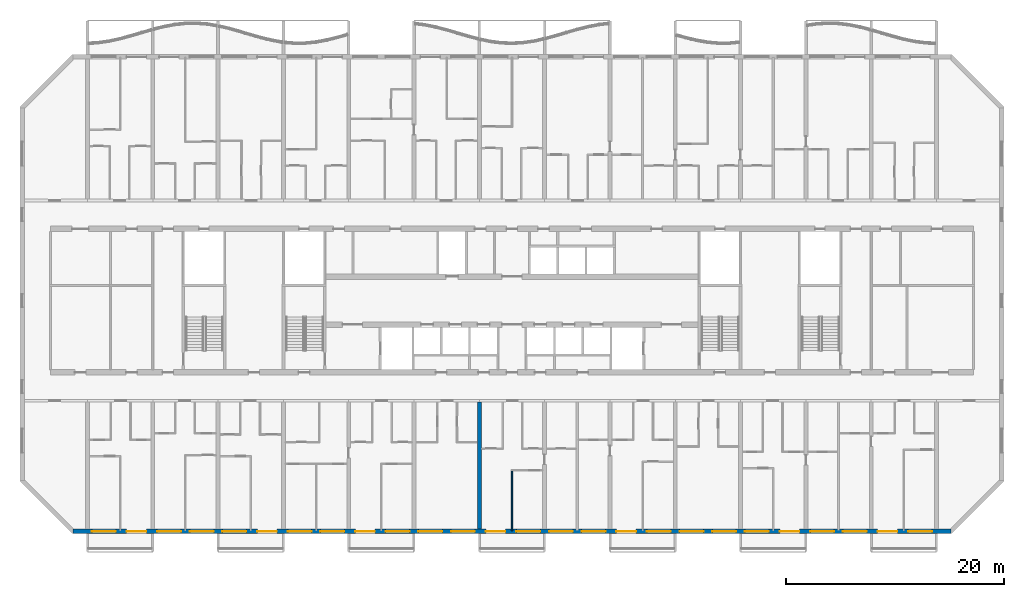
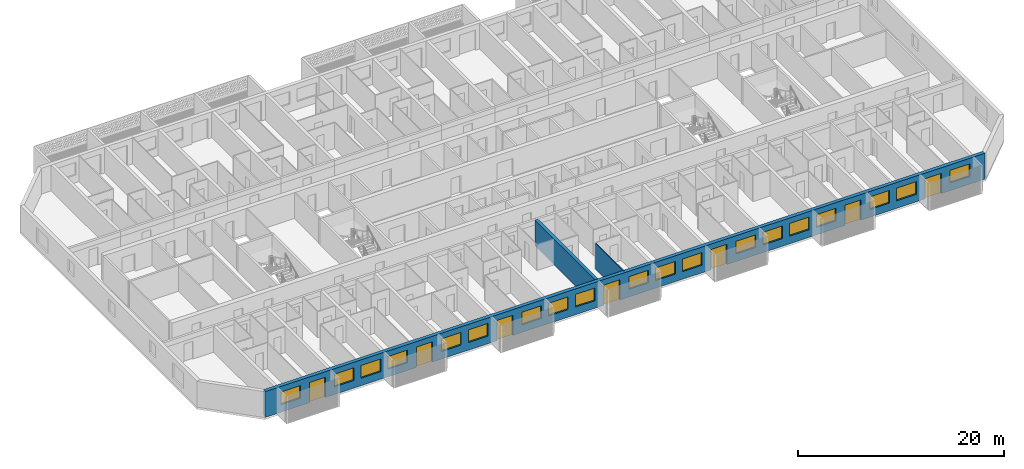
# One storey, part 4 of 27: 19 windows, 7 doors, 3 walls, 26 openings.
"""IFC4 building model written with IfcOpenShell, lengths in metres."""

from ifc_helpers import new_model, si_unit, direction, frame, frame_2d, origin, place, context, subcontext, project, spatial, rectangle, extrude, material, layer, layer_set, type_object, element, fill, save


model = new_model("IFC4")

# Units and contexts
model_context = context("Model", 3, precision=1e-05, world=origin(), true_north=direction((0.0, 1.0)))
body_context = subcontext(model_context, "Body", "Model", "MODEL_VIEW")
ifc_project = project(units=[si_unit("LENGTHUNIT", "METRE"), si_unit("AREAUNIT", "SQUARE_METRE"), si_unit("VOLUMEUNIT", "CUBIC_METRE"), si_unit("PLANEANGLEUNIT", "RADIAN"), si_unit("MASSUNIT", "GRAM", prefix="KILO")], contexts=[model_context])

# Site, building, storey
site_placement = place(None, origin())
site = spatial("IfcSite", under=ifc_project, at=site_placement, CompositionType="ELEMENT")
building_placement = place(site_placement, origin())
building = spatial("IfcBuilding", under=site, at=building_placement, Name="Poui Terraces", CompositionType="ELEMENT")
storey_placement = place(building_placement, frame((0.0, 0.0, 76.199951171875)))
storey = spatial("IfcBuildingStorey", under=building, at=storey_placement, Name="L20", CompositionType="ELEMENT", Elevation=76.199951171875)

# Wall
ifc_material_1 = material(Name="Concrete 65 MPa", Category="concrete")
ifc_layer_1 = layer(ifc_material_1, 0.35009765625)
ifc_layer_set_1 = layer_set([ifc_layer_1], Name="Concrete 65 MPa")
wall_type_1 = type_object("IfcWallType", Name="CROSS WALL 350 65MPa", PredefinedType="SHEAR", material=ifc_layer_set_1)
wall_1_placement = place(storey_placement, frame((48.0, 0.199951171875, 0.0), z_axis=(0.0, 0.0, 1.0), x_axis=(0.0, 1.0, 0.0)))
element("IfcWall", 1, at=wall_1_placement, inside=storey, type_object=wall_type_1, Name="CROSS WALL LINE 9 SOUTH", PredefinedType="SHEAR", context=body_context, shape_type="SweptSolid", body=[
    extrude(rectangle(XDim=11.675048828125, YDim=0.35009765625, at=frame_2d((5.83740234375, 0.0))), origin(), (0.0, 0.0, 1.0), 3.06005859375),
])

# Wall, openings, doors, windows
ifc_material_2 = material(Name="Precast concrete 40 MPa", Category="concrete")
ifc_layer_2 = layer(ifc_material_2, 0.39990234375)
ifc_layer_set_2 = layer_set([ifc_layer_2], Name="Precast concrete 40 MPa")
wall_type_2 = type_object("IfcWallType", Name="EXTERNAL WALL 400", PredefinedType="STANDARD", material=ifc_layer_set_2)
wall_2_placement = place(storey_placement, frame((10.682861328125, 0.0, 0.0), z_axis=(0.0, 0.0, 1.0), x_axis=(1.0, 0.0, 0.0)))
wall_2 = element("IfcWall", 2, at=wall_2_placement, inside=storey, type_object=wall_type_2, Name="EXTERNAL WALL S", PredefinedType="STANDARD", context=body_context, shape_type="SweptSolid", body=[
    extrude(rectangle(XDim=80.63427734375, YDim=0.39990234375, at=frame_2d((40.317138671875, 0.0))), origin(), (0.0, 0.0, 1.0), 3.06005859375),
])
opening_1_placement = place(wall_2_placement, frame((1.71728515625, 0.0, 0.89990234375)))
opening_1 = element("IfcOpeningElement", 3, at=opening_1_placement, cuts=wall_2, Name="Opening W1", PredefinedType="OPENING", context=body_context, shape_type="SweptSolid", body=[
    extrude(rectangle(XDim=2.199951171875, YDim=1.5, at=frame_2d((1.10009765625, 0.75))), frame((0.0, 0.2099609375, 0.0), z_axis=(0.0, -1.0, 0.0), x_axis=(1.0, 0.0, 0.0)), (0.0, 0.0, 1.0), 0.419921875),
])
opening_2_placement = place(wall_2_placement, frame((4.917236328125, 0.0, 0.0)))
opening_2 = element("IfcOpeningElement", 4, at=opening_2_placement, cuts=wall_2, Name="Opening BD1", PredefinedType="OPENING", context=body_context, shape_type="SweptSolid", body=[
    extrude(rectangle(XDim=1.800048828125, YDim=2.39990234375, at=frame_2d((0.89990234375, 1.199951171875))), frame((0.0, 0.2099609375, 0.0), z_axis=(0.0, -1.0, 0.0), x_axis=(1.0, 0.0, 0.0)), (0.0, 0.0, 1.0), 0.419921875),
])
opening_3_placement = place(wall_2_placement, frame((7.71728515625, 0.0, 0.89990234375)))
opening_3 = element("IfcOpeningElement", 5, at=opening_3_placement, cuts=wall_2, Name="Opening W1", PredefinedType="OPENING", context=body_context, shape_type="SweptSolid", body=[
    extrude(rectangle(XDim=2.199951171875, YDim=1.5, at=frame_2d((1.10009765625, 0.75))), frame((0.0, 0.2099609375, 0.0), z_axis=(0.0, -1.0, 0.0), x_axis=(1.0, 0.0, 0.0)), (0.0, 0.0, 1.0), 0.419921875),
])
opening_4_placement = place(wall_2_placement, frame((10.71728515625, 0.0, 0.89990234375)))
opening_4 = element("IfcOpeningElement", 6, at=opening_4_placement, cuts=wall_2, Name="Opening W1", PredefinedType="OPENING", context=body_context, shape_type="SweptSolid", body=[
    extrude(rectangle(XDim=2.199951171875, YDim=1.5, at=frame_2d((1.10009765625, 0.75))), frame((0.0, 0.2099609375, 0.0), z_axis=(0.0, -1.0, 0.0), x_axis=(1.0, 0.0, 0.0)), (0.0, 0.0, 1.0), 0.419921875),
])
opening_5_placement = place(wall_2_placement, frame((13.71728515625, 0.0, 0.89990234375)))
opening_5 = element("IfcOpeningElement", 7, at=opening_5_placement, cuts=wall_2, Name="Opening W1", PredefinedType="OPENING", context=body_context, shape_type="SweptSolid", body=[
    extrude(rectangle(XDim=2.199951171875, YDim=1.5, at=frame_2d((1.10009765625, 0.75))), frame((0.0, 0.2099609375, 0.0), z_axis=(0.0, -1.0, 0.0), x_axis=(1.0, 0.0, 0.0)), (0.0, 0.0, 1.0), 0.419921875),
])
opening_6_placement = place(wall_2_placement, frame((16.917236328125, 0.0, 0.0)))
opening_6 = element("IfcOpeningElement", 8, at=opening_6_placement, cuts=wall_2, Name="Opening BD1", PredefinedType="OPENING", context=body_context, shape_type="SweptSolid", body=[
    extrude(rectangle(XDim=1.800048828125, YDim=2.39990234375, at=frame_2d((0.89990234375, 1.199951171875))), frame((0.0, 0.2099609375, 0.0), z_axis=(0.0, -1.0, 0.0), x_axis=(1.0, 0.0, 0.0)), (0.0, 0.0, 1.0), 0.419921875),
])
opening_7_placement = place(wall_2_placement, frame((19.71728515625, 0.0, 0.89990234375)))
opening_7 = element("IfcOpeningElement", 9, at=opening_7_placement, cuts=wall_2, Name="Opening W1", PredefinedType="OPENING", context=body_context, shape_type="SweptSolid", body=[
    extrude(rectangle(XDim=2.199951171875, YDim=1.5, at=frame_2d((1.10009765625, 0.75))), frame((0.0, 0.2099609375, 0.0), z_axis=(0.0, -1.0, 0.0), x_axis=(1.0, 0.0, 0.0)), (0.0, 0.0, 1.0), 0.419921875),
])
opening_8_placement = place(wall_2_placement, frame((22.71728515625, 0.0, 0.89990234375)))
opening_8 = element("IfcOpeningElement", 10, at=opening_8_placement, cuts=wall_2, Name="Opening W1", PredefinedType="OPENING", context=body_context, shape_type="SweptSolid", body=[
    extrude(rectangle(XDim=2.199951171875, YDim=1.5, at=frame_2d((1.10009765625, 0.75))), frame((0.0, 0.2099609375, 0.0), z_axis=(0.0, -1.0, 0.0), x_axis=(1.0, 0.0, 0.0)), (0.0, 0.0, 1.0), 0.419921875),
])
opening_9_placement = place(wall_2_placement, frame((25.917236328125, 0.0, 0.0)))
opening_9 = element("IfcOpeningElement", 11, at=opening_9_placement, cuts=wall_2, Name="Opening BD1", PredefinedType="OPENING", context=body_context, shape_type="SweptSolid", body=[
    extrude(rectangle(XDim=1.800048828125, YDim=2.39990234375, at=frame_2d((0.89990234375, 1.199951171875))), frame((0.0, 0.2099609375, 0.0), z_axis=(0.0, -1.0, 0.0), x_axis=(1.0, 0.0, 0.0)), (0.0, 0.0, 1.0), 0.419921875),
])
opening_10_placement = place(wall_2_placement, frame((28.71728515625, 0.0, 0.89990234375)))
opening_10 = element("IfcOpeningElement", 12, at=opening_10_placement, cuts=wall_2, Name="Opening W1", PredefinedType="OPENING", context=body_context, shape_type="SweptSolid", body=[
    extrude(rectangle(XDim=2.199951171875, YDim=1.5, at=frame_2d((1.10009765625, 0.75))), frame((0.0, 0.2099609375, 0.0), z_axis=(0.0, -1.0, 0.0), x_axis=(1.0, 0.0, 0.0)), (0.0, 0.0, 1.0), 0.419921875),
])
opening_11_placement = place(wall_2_placement, frame((31.71728515625, 0.0, 0.89990234375)))
opening_11 = element("IfcOpeningElement", 13, at=opening_11_placement, cuts=wall_2, Name="Opening W1", PredefinedType="OPENING", context=body_context, shape_type="SweptSolid", body=[
    extrude(rectangle(XDim=2.199951171875, YDim=1.5, at=frame_2d((1.10009765625, 0.75))), frame((0.0, 0.2099609375, 0.0), z_axis=(0.0, -1.0, 0.0), x_axis=(1.0, 0.0, 0.0)), (0.0, 0.0, 1.0), 0.419921875),
])
opening_12_placement = place(wall_2_placement, frame((34.71728515625, 0.0, 0.89990234375)))
opening_12 = element("IfcOpeningElement", 14, at=opening_12_placement, cuts=wall_2, Name="Opening W1", PredefinedType="OPENING", context=body_context, shape_type="SweptSolid", body=[
    extrude(rectangle(XDim=2.199951171875, YDim=1.5, at=frame_2d((1.10009765625, 0.75))), frame((0.0, 0.2099609375, 0.0), z_axis=(0.0, -1.0, 0.0), x_axis=(1.0, 0.0, 0.0)), (0.0, 0.0, 1.0), 0.419921875),
])
opening_13_placement = place(wall_2_placement, frame((37.917236328125, 0.0, 0.0)))
opening_13 = element("IfcOpeningElement", 15, at=opening_13_placement, cuts=wall_2, Name="Opening BD1", PredefinedType="OPENING", context=body_context, shape_type="SweptSolid", body=[
    extrude(rectangle(XDim=1.800048828125, YDim=2.39990234375, at=frame_2d((0.89990234375, 1.199951171875))), frame((0.0, 0.2099609375, 0.0), z_axis=(0.0, -1.0, 0.0), x_axis=(1.0, 0.0, 0.0)), (0.0, 0.0, 1.0), 0.419921875),
])
opening_14_placement = place(wall_2_placement, frame((40.71728515625, 0.0, 0.89990234375)))
opening_14 = element("IfcOpeningElement", 16, at=opening_14_placement, cuts=wall_2, Name="Opening W1", PredefinedType="OPENING", context=body_context, shape_type="SweptSolid", body=[
    extrude(rectangle(XDim=2.199951171875, YDim=1.5, at=frame_2d((1.10009765625, 0.75))), frame((0.0, 0.2099609375, 0.0), z_axis=(0.0, -1.0, 0.0), x_axis=(1.0, 0.0, 0.0)), (0.0, 0.0, 1.0), 0.419921875),
])
opening_15_placement = place(wall_2_placement, frame((43.71728515625, 0.0, 0.89990234375)))
opening_15 = element("IfcOpeningElement", 17, at=opening_15_placement, cuts=wall_2, Name="Opening W1", PredefinedType="OPENING", context=body_context, shape_type="SweptSolid", body=[
    extrude(rectangle(XDim=2.199951171875, YDim=1.5, at=frame_2d((1.10009765625, 0.75))), frame((0.0, 0.2099609375, 0.0), z_axis=(0.0, -1.0, 0.0), x_axis=(1.0, 0.0, 0.0)), (0.0, 0.0, 1.0), 0.419921875),
])
opening_16_placement = place(wall_2_placement, frame((46.71728515625, 0.0, 0.89990234375)))
opening_16 = element("IfcOpeningElement", 18, at=opening_16_placement, cuts=wall_2, Name="Opening W1", PredefinedType="OPENING", context=body_context, shape_type="SweptSolid", body=[
    extrude(rectangle(XDim=2.199951171875, YDim=1.5, at=frame_2d((1.10009765625, 0.75))), frame((0.0, 0.2099609375, 0.0), z_axis=(0.0, -1.0, 0.0), x_axis=(1.0, 0.0, 0.0)), (0.0, 0.0, 1.0), 0.419921875),
])
opening_17_placement = place(wall_2_placement, frame((49.917236328125, 0.0, 0.0)))
opening_17 = element("IfcOpeningElement", 19, at=opening_17_placement, cuts=wall_2, Name="Opening BD1", PredefinedType="OPENING", context=body_context, shape_type="SweptSolid", body=[
    extrude(rectangle(XDim=1.800048828125, YDim=2.39990234375, at=frame_2d((0.89990234375, 1.199951171875))), frame((0.0, 0.2099609375, 0.0), z_axis=(0.0, -1.0, 0.0), x_axis=(1.0, 0.0, 0.0)), (0.0, 0.0, 1.0), 0.419921875),
])
opening_18_placement = place(wall_2_placement, frame((52.71728515625, 0.0, 0.89990234375)))
opening_18 = element("IfcOpeningElement", 20, at=opening_18_placement, cuts=wall_2, Name="Opening W1", PredefinedType="OPENING", context=body_context, shape_type="SweptSolid", body=[
    extrude(rectangle(XDim=2.199951171875, YDim=1.5, at=frame_2d((1.10009765625, 0.75))), frame((0.0, 0.2099609375, 0.0), z_axis=(0.0, -1.0, 0.0), x_axis=(1.0, 0.0, 0.0)), (0.0, 0.0, 1.0), 0.419921875),
])
opening_19_placement = place(wall_2_placement, frame((55.71728515625, 0.0, 0.89990234375)))
opening_19 = element("IfcOpeningElement", 21, at=opening_19_placement, cuts=wall_2, Name="Opening W1", PredefinedType="OPENING", context=body_context, shape_type="SweptSolid", body=[
    extrude(rectangle(XDim=2.199951171875, YDim=1.5, at=frame_2d((1.10009765625, 0.75))), frame((0.0, 0.2099609375, 0.0), z_axis=(0.0, -1.0, 0.0), x_axis=(1.0, 0.0, 0.0)), (0.0, 0.0, 1.0), 0.419921875),
])
opening_20_placement = place(wall_2_placement, frame((58.71728515625, 0.0, 0.89990234375)))
opening_20 = element("IfcOpeningElement", 22, at=opening_20_placement, cuts=wall_2, Name="Opening W1", PredefinedType="OPENING", context=body_context, shape_type="SweptSolid", body=[
    extrude(rectangle(XDim=2.199951171875, YDim=1.5, at=frame_2d((1.10009765625, 0.75))), frame((0.0, 0.2099609375, 0.0), z_axis=(0.0, -1.0, 0.0), x_axis=(1.0, 0.0, 0.0)), (0.0, 0.0, 1.0), 0.419921875),
])
opening_21_placement = place(wall_2_placement, frame((61.71728515625, 0.0, 0.89990234375)))
opening_21 = element("IfcOpeningElement", 23, at=opening_21_placement, cuts=wall_2, Name="Opening W1", PredefinedType="OPENING", context=body_context, shape_type="SweptSolid", body=[
    extrude(rectangle(XDim=2.199951171875, YDim=1.5, at=frame_2d((1.10009765625, 0.75))), frame((0.0, 0.2099609375, 0.0), z_axis=(0.0, -1.0, 0.0), x_axis=(1.0, 0.0, 0.0)), (0.0, 0.0, 1.0), 0.419921875),
])
opening_22_placement = place(wall_2_placement, frame((64.917236328125, 0.0, 0.0)))
opening_22 = element("IfcOpeningElement", 24, at=opening_22_placement, cuts=wall_2, Name="Opening BD1", PredefinedType="OPENING", context=body_context, shape_type="SweptSolid", body=[
    extrude(rectangle(XDim=1.800048828125, YDim=2.39990234375, at=frame_2d((0.89990234375, 1.199951171875))), frame((0.0, 0.2099609375, 0.0), z_axis=(0.0, -1.0, 0.0), x_axis=(1.0, 0.0, 0.0)), (0.0, 0.0, 1.0), 0.419921875),
])
opening_23_placement = place(wall_2_placement, frame((67.71728515625, 0.0, 0.89990234375)))
opening_23 = element("IfcOpeningElement", 25, at=opening_23_placement, cuts=wall_2, Name="Opening W1", PredefinedType="OPENING", context=body_context, shape_type="SweptSolid", body=[
    extrude(rectangle(XDim=2.199951171875, YDim=1.5, at=frame_2d((1.10009765625, 0.75))), frame((0.0, 0.2099609375, 0.0), z_axis=(0.0, -1.0, 0.0), x_axis=(1.0, 0.0, 0.0)), (0.0, 0.0, 1.0), 0.419921875),
])
opening_24_placement = place(wall_2_placement, frame((70.71728515625, 0.0, 0.89990234375)))
opening_24 = element("IfcOpeningElement", 26, at=opening_24_placement, cuts=wall_2, Name="Opening W1", PredefinedType="OPENING", context=body_context, shape_type="SweptSolid", body=[
    extrude(rectangle(XDim=2.199951171875, YDim=1.5, at=frame_2d((1.10009765625, 0.75))), frame((0.0, 0.2099609375, 0.0), z_axis=(0.0, -1.0, 0.0), x_axis=(1.0, 0.0, 0.0)), (0.0, 0.0, 1.0), 0.419921875),
])
opening_25_placement = place(wall_2_placement, frame((73.917236328125, 0.0, 0.0)))
opening_25 = element("IfcOpeningElement", 27, at=opening_25_placement, cuts=wall_2, Name="Opening BD1", PredefinedType="OPENING", context=body_context, shape_type="SweptSolid", body=[
    extrude(rectangle(XDim=1.800048828125, YDim=2.39990234375, at=frame_2d((0.89990234375, 1.199951171875))), frame((0.0, 0.2099609375, 0.0), z_axis=(0.0, -1.0, 0.0), x_axis=(1.0, 0.0, 0.0)), (0.0, 0.0, 1.0), 0.419921875),
])
opening_26_placement = place(wall_2_placement, frame((76.71728515625, 0.0, 0.89990234375)))
opening_26 = element("IfcOpeningElement", 28, at=opening_26_placement, cuts=wall_2, Name="Opening W1", PredefinedType="OPENING", context=body_context, shape_type="SweptSolid", body=[
    extrude(rectangle(XDim=2.199951171875, YDim=1.5, at=frame_2d((1.10009765625, 0.75))), frame((0.0, 0.2099609375, 0.0), z_axis=(0.0, -1.0, 0.0), x_axis=(1.0, 0.0, 0.0)), (0.0, 0.0, 1.0), 0.419921875),
])
ifc_material_3 = material(Name="Clear glass in aluminium frame", Category="aluminium")
door_type = type_object("IfcDoorType", Name="BALCONY DOOR 1800X2400", OperationType="DOUBLE_DOOR_SLIDING", PredefinedType="DOOR", material=ifc_material_3)
door_1_placement = place(opening_2_placement, origin())
door_1 = element("IfcDoor", 29, at=door_1_placement, inside=storey, type_object=door_type, Name="BD1 BALCONY DOOR", OperationType="DOUBLE_DOOR_SLIDING", OverallHeight=2.39990234375, OverallWidth=1.800048828125, PredefinedType="DOOR", context=body_context, shape_type="SweptSolid", body=[
    extrude(rectangle(XDim=1.800048828125, YDim=2.39990234375, at=frame_2d((0.89990234375, 1.199951171875))), frame((0.0, 0.02490234375, 0.0), z_axis=(0.0, -1.0, 0.0), x_axis=(1.0, 0.0, 0.0)), (0.0, 0.0, 1.0), 0.050048828125),
])
fill(opening_2, door_1)
door_2_placement = place(opening_6_placement, origin())
door_2 = element("IfcDoor", 30, at=door_2_placement, inside=storey, type_object=door_type, Name="BD1 BALCONY DOOR", OperationType="DOUBLE_DOOR_SLIDING", OverallHeight=2.39990234375, OverallWidth=1.800048828125, PredefinedType="DOOR", context=body_context, shape_type="SweptSolid", body=[
    extrude(rectangle(XDim=1.800048828125, YDim=2.39990234375, at=frame_2d((0.89990234375, 1.199951171875))), frame((0.0, 0.02490234375, 0.0), z_axis=(0.0, -1.0, 0.0), x_axis=(1.0, 0.0, 0.0)), (0.0, 0.0, 1.0), 0.050048828125),
])
fill(opening_6, door_2)
door_3_placement = place(opening_9_placement, origin())
door_3 = element("IfcDoor", 31, at=door_3_placement, inside=storey, type_object=door_type, Name="BD1 BALCONY DOOR", OperationType="DOUBLE_DOOR_SLIDING", OverallHeight=2.39990234375, OverallWidth=1.800048828125, PredefinedType="DOOR", context=body_context, shape_type="SweptSolid", body=[
    extrude(rectangle(XDim=1.800048828125, YDim=2.39990234375, at=frame_2d((0.89990234375, 1.199951171875))), frame((0.0, 0.02490234375, 0.0), z_axis=(0.0, -1.0, 0.0), x_axis=(1.0, 0.0, 0.0)), (0.0, 0.0, 1.0), 0.050048828125),
])
fill(opening_9, door_3)
door_4_placement = place(opening_13_placement, origin())
door_4 = element("IfcDoor", 32, at=door_4_placement, inside=storey, type_object=door_type, Name="BD1 BALCONY DOOR", OperationType="DOUBLE_DOOR_SLIDING", OverallHeight=2.39990234375, OverallWidth=1.800048828125, PredefinedType="DOOR", context=body_context, shape_type="SweptSolid", body=[
    extrude(rectangle(XDim=1.800048828125, YDim=2.39990234375, at=frame_2d((0.89990234375, 1.199951171875))), frame((0.0, 0.02490234375, 0.0), z_axis=(0.0, -1.0, 0.0), x_axis=(1.0, 0.0, 0.0)), (0.0, 0.0, 1.0), 0.050048828125),
])
fill(opening_13, door_4)
door_5_placement = place(opening_17_placement, origin())
door_5 = element("IfcDoor", 33, at=door_5_placement, inside=storey, type_object=door_type, Name="BD1 BALCONY DOOR", OperationType="DOUBLE_DOOR_SLIDING", OverallHeight=2.39990234375, OverallWidth=1.800048828125, PredefinedType="DOOR", context=body_context, shape_type="SweptSolid", body=[
    extrude(rectangle(XDim=1.800048828125, YDim=2.39990234375, at=frame_2d((0.89990234375, 1.199951171875))), frame((0.0, 0.02490234375, 0.0), z_axis=(0.0, -1.0, 0.0), x_axis=(1.0, 0.0, 0.0)), (0.0, 0.0, 1.0), 0.050048828125),
])
fill(opening_17, door_5)
door_6_placement = place(opening_22_placement, origin())
door_6 = element("IfcDoor", 34, at=door_6_placement, inside=storey, type_object=door_type, Name="BD1 BALCONY DOOR", OperationType="DOUBLE_DOOR_SLIDING", OverallHeight=2.39990234375, OverallWidth=1.800048828125, PredefinedType="DOOR", context=body_context, shape_type="SweptSolid", body=[
    extrude(rectangle(XDim=1.800048828125, YDim=2.39990234375, at=frame_2d((0.89990234375, 1.199951171875))), frame((0.0, 0.02490234375, 0.0), z_axis=(0.0, -1.0, 0.0), x_axis=(1.0, 0.0, 0.0)), (0.0, 0.0, 1.0), 0.050048828125),
])
fill(opening_22, door_6)
door_7_placement = place(opening_25_placement, origin())
door_7 = element("IfcDoor", 35, at=door_7_placement, inside=storey, type_object=door_type, Name="BD1 BALCONY DOOR", OperationType="DOUBLE_DOOR_SLIDING", OverallHeight=2.39990234375, OverallWidth=1.800048828125, PredefinedType="DOOR", context=body_context, shape_type="SweptSolid", body=[
    extrude(rectangle(XDim=1.800048828125, YDim=2.39990234375, at=frame_2d((0.89990234375, 1.199951171875))), frame((0.0, 0.02490234375, 0.0), z_axis=(0.0, -1.0, 0.0), x_axis=(1.0, 0.0, 0.0)), (0.0, 0.0, 1.0), 0.050048828125),
])
fill(opening_25, door_7)
window_type = type_object("IfcWindowType", Name="WINDOW 2200X1500", PartitioningType="DOUBLE_PANEL_HORIZONTAL", PredefinedType="WINDOW", material=ifc_material_3)
window_1_placement = place(opening_1_placement, origin())
window_1 = element("IfcWindow", 36, at=window_1_placement, inside=storey, type_object=window_type, Name="W1 WINDOW", OverallHeight=1.5, OverallWidth=2.199951171875, PartitioningType="DOUBLE_PANEL_HORIZONTAL", PredefinedType="WINDOW", context=body_context, shape_type="SweptSolid", body=[
    extrude(rectangle(XDim=2.199951171875, YDim=1.5, at=frame_2d((1.10009765625, 0.75))), frame((0.0, 0.030029296875, 0.0), z_axis=(0.0, -1.0, 0.0), x_axis=(1.0, 0.0, 0.0)), (0.0, 0.0, 1.0), 0.06005859375),
])
fill(opening_1, window_1)
window_2_placement = place(opening_3_placement, origin())
window_2 = element("IfcWindow", 37, at=window_2_placement, inside=storey, type_object=window_type, Name="W1 WINDOW", OverallHeight=1.5, OverallWidth=2.199951171875, PartitioningType="DOUBLE_PANEL_HORIZONTAL", PredefinedType="WINDOW", context=body_context, shape_type="SweptSolid", body=[
    extrude(rectangle(XDim=2.199951171875, YDim=1.5, at=frame_2d((1.10009765625, 0.75))), frame((0.0, 0.030029296875, 0.0), z_axis=(0.0, -1.0, 0.0), x_axis=(1.0, 0.0, 0.0)), (0.0, 0.0, 1.0), 0.06005859375),
])
fill(opening_3, window_2)
window_3_placement = place(opening_4_placement, origin())
window_3 = element("IfcWindow", 38, at=window_3_placement, inside=storey, type_object=window_type, Name="W1 WINDOW", OverallHeight=1.5, OverallWidth=2.199951171875, PartitioningType="DOUBLE_PANEL_HORIZONTAL", PredefinedType="WINDOW", context=body_context, shape_type="SweptSolid", body=[
    extrude(rectangle(XDim=2.199951171875, YDim=1.5, at=frame_2d((1.10009765625, 0.75))), frame((0.0, 0.030029296875, 0.0), z_axis=(0.0, -1.0, 0.0), x_axis=(1.0, 0.0, 0.0)), (0.0, 0.0, 1.0), 0.06005859375),
])
fill(opening_4, window_3)
window_4_placement = place(opening_5_placement, origin())
window_4 = element("IfcWindow", 39, at=window_4_placement, inside=storey, type_object=window_type, Name="W1 WINDOW", OverallHeight=1.5, OverallWidth=2.199951171875, PartitioningType="DOUBLE_PANEL_HORIZONTAL", PredefinedType="WINDOW", context=body_context, shape_type="SweptSolid", body=[
    extrude(rectangle(XDim=2.199951171875, YDim=1.5, at=frame_2d((1.10009765625, 0.75))), frame((0.0, 0.030029296875, 0.0), z_axis=(0.0, -1.0, 0.0), x_axis=(1.0, 0.0, 0.0)), (0.0, 0.0, 1.0), 0.06005859375),
])
fill(opening_5, window_4)
window_5_placement = place(opening_7_placement, origin())
window_5 = element("IfcWindow", 40, at=window_5_placement, inside=storey, type_object=window_type, Name="W1 WINDOW", OverallHeight=1.5, OverallWidth=2.199951171875, PartitioningType="DOUBLE_PANEL_HORIZONTAL", PredefinedType="WINDOW", context=body_context, shape_type="SweptSolid", body=[
    extrude(rectangle(XDim=2.199951171875, YDim=1.5, at=frame_2d((1.10009765625, 0.75))), frame((0.0, 0.030029296875, 0.0), z_axis=(0.0, -1.0, 0.0), x_axis=(1.0, 0.0, 0.0)), (0.0, 0.0, 1.0), 0.06005859375),
])
fill(opening_7, window_5)
window_6_placement = place(opening_8_placement, origin())
window_6 = element("IfcWindow", 41, at=window_6_placement, inside=storey, type_object=window_type, Name="W1 WINDOW", OverallHeight=1.5, OverallWidth=2.199951171875, PartitioningType="DOUBLE_PANEL_HORIZONTAL", PredefinedType="WINDOW", context=body_context, shape_type="SweptSolid", body=[
    extrude(rectangle(XDim=2.199951171875, YDim=1.5, at=frame_2d((1.10009765625, 0.75))), frame((0.0, 0.030029296875, 0.0), z_axis=(0.0, -1.0, 0.0), x_axis=(1.0, 0.0, 0.0)), (0.0, 0.0, 1.0), 0.06005859375),
])
fill(opening_8, window_6)
window_7_placement = place(opening_10_placement, origin())
window_7 = element("IfcWindow", 42, at=window_7_placement, inside=storey, type_object=window_type, Name="W1 WINDOW", OverallHeight=1.5, OverallWidth=2.199951171875, PartitioningType="DOUBLE_PANEL_HORIZONTAL", PredefinedType="WINDOW", context=body_context, shape_type="SweptSolid", body=[
    extrude(rectangle(XDim=2.199951171875, YDim=1.5, at=frame_2d((1.10009765625, 0.75))), frame((0.0, 0.030029296875, 0.0), z_axis=(0.0, -1.0, 0.0), x_axis=(1.0, 0.0, 0.0)), (0.0, 0.0, 1.0), 0.06005859375),
])
fill(opening_10, window_7)
window_8_placement = place(opening_11_placement, origin())
window_8 = element("IfcWindow", 43, at=window_8_placement, inside=storey, type_object=window_type, Name="W1 WINDOW", OverallHeight=1.5, OverallWidth=2.199951171875, PartitioningType="DOUBLE_PANEL_HORIZONTAL", PredefinedType="WINDOW", context=body_context, shape_type="SweptSolid", body=[
    extrude(rectangle(XDim=2.199951171875, YDim=1.5, at=frame_2d((1.10009765625, 0.75))), frame((0.0, 0.030029296875, 0.0), z_axis=(0.0, -1.0, 0.0), x_axis=(1.0, 0.0, 0.0)), (0.0, 0.0, 1.0), 0.06005859375),
])
fill(opening_11, window_8)
window_9_placement = place(opening_12_placement, origin())
window_9 = element("IfcWindow", 44, at=window_9_placement, inside=storey, type_object=window_type, Name="W1 WINDOW", OverallHeight=1.5, OverallWidth=2.199951171875, PartitioningType="DOUBLE_PANEL_HORIZONTAL", PredefinedType="WINDOW", context=body_context, shape_type="SweptSolid", body=[
    extrude(rectangle(XDim=2.199951171875, YDim=1.5, at=frame_2d((1.10009765625, 0.75))), frame((0.0, 0.030029296875, 0.0), z_axis=(0.0, -1.0, 0.0), x_axis=(1.0, 0.0, 0.0)), (0.0, 0.0, 1.0), 0.06005859375),
])
fill(opening_12, window_9)
window_10_placement = place(opening_14_placement, origin())
window_10 = element("IfcWindow", 45, at=window_10_placement, inside=storey, type_object=window_type, Name="W1 WINDOW", OverallHeight=1.5, OverallWidth=2.199951171875, PartitioningType="DOUBLE_PANEL_HORIZONTAL", PredefinedType="WINDOW", context=body_context, shape_type="SweptSolid", body=[
    extrude(rectangle(XDim=2.199951171875, YDim=1.5, at=frame_2d((1.10009765625, 0.75))), frame((0.0, 0.030029296875, 0.0), z_axis=(0.0, -1.0, 0.0), x_axis=(1.0, 0.0, 0.0)), (0.0, 0.0, 1.0), 0.06005859375),
])
fill(opening_14, window_10)
window_11_placement = place(opening_15_placement, origin())
window_11 = element("IfcWindow", 46, at=window_11_placement, inside=storey, type_object=window_type, Name="W1 WINDOW", OverallHeight=1.5, OverallWidth=2.199951171875, PartitioningType="DOUBLE_PANEL_HORIZONTAL", PredefinedType="WINDOW", context=body_context, shape_type="SweptSolid", body=[
    extrude(rectangle(XDim=2.199951171875, YDim=1.5, at=frame_2d((1.10009765625, 0.75))), frame((0.0, 0.030029296875, 0.0), z_axis=(0.0, -1.0, 0.0), x_axis=(1.0, 0.0, 0.0)), (0.0, 0.0, 1.0), 0.06005859375),
])
fill(opening_15, window_11)
window_12_placement = place(opening_16_placement, origin())
window_12 = element("IfcWindow", 47, at=window_12_placement, inside=storey, type_object=window_type, Name="W1 WINDOW", OverallHeight=1.5, OverallWidth=2.199951171875, PartitioningType="DOUBLE_PANEL_HORIZONTAL", PredefinedType="WINDOW", context=body_context, shape_type="SweptSolid", body=[
    extrude(rectangle(XDim=2.199951171875, YDim=1.5, at=frame_2d((1.10009765625, 0.75))), frame((0.0, 0.030029296875, 0.0), z_axis=(0.0, -1.0, 0.0), x_axis=(1.0, 0.0, 0.0)), (0.0, 0.0, 1.0), 0.06005859375),
])
fill(opening_16, window_12)
window_13_placement = place(opening_18_placement, origin())
window_13 = element("IfcWindow", 48, at=window_13_placement, inside=storey, type_object=window_type, Name="W1 WINDOW", OverallHeight=1.5, OverallWidth=2.199951171875, PartitioningType="DOUBLE_PANEL_HORIZONTAL", PredefinedType="WINDOW", context=body_context, shape_type="SweptSolid", body=[
    extrude(rectangle(XDim=2.199951171875, YDim=1.5, at=frame_2d((1.10009765625, 0.75))), frame((0.0, 0.030029296875, 0.0), z_axis=(0.0, -1.0, 0.0), x_axis=(1.0, 0.0, 0.0)), (0.0, 0.0, 1.0), 0.06005859375),
])
fill(opening_18, window_13)
window_14_placement = place(opening_19_placement, origin())
window_14 = element("IfcWindow", 49, at=window_14_placement, inside=storey, type_object=window_type, Name="W1 WINDOW", OverallHeight=1.5, OverallWidth=2.199951171875, PartitioningType="DOUBLE_PANEL_HORIZONTAL", PredefinedType="WINDOW", context=body_context, shape_type="SweptSolid", body=[
    extrude(rectangle(XDim=2.199951171875, YDim=1.5, at=frame_2d((1.10009765625, 0.75))), frame((0.0, 0.030029296875, 0.0), z_axis=(0.0, -1.0, 0.0), x_axis=(1.0, 0.0, 0.0)), (0.0, 0.0, 1.0), 0.06005859375),
])
fill(opening_19, window_14)
window_15_placement = place(opening_20_placement, origin())
window_15 = element("IfcWindow", 50, at=window_15_placement, inside=storey, type_object=window_type, Name="W1 WINDOW", OverallHeight=1.5, OverallWidth=2.199951171875, PartitioningType="DOUBLE_PANEL_HORIZONTAL", PredefinedType="WINDOW", context=body_context, shape_type="SweptSolid", body=[
    extrude(rectangle(XDim=2.199951171875, YDim=1.5, at=frame_2d((1.10009765625, 0.75))), frame((0.0, 0.030029296875, 0.0), z_axis=(0.0, -1.0, 0.0), x_axis=(1.0, 0.0, 0.0)), (0.0, 0.0, 1.0), 0.06005859375),
])
fill(opening_20, window_15)
window_16_placement = place(opening_21_placement, origin())
window_16 = element("IfcWindow", 51, at=window_16_placement, inside=storey, type_object=window_type, Name="W1 WINDOW", OverallHeight=1.5, OverallWidth=2.199951171875, PartitioningType="DOUBLE_PANEL_HORIZONTAL", PredefinedType="WINDOW", context=body_context, shape_type="SweptSolid", body=[
    extrude(rectangle(XDim=2.199951171875, YDim=1.5, at=frame_2d((1.10009765625, 0.75))), frame((0.0, 0.030029296875, 0.0), z_axis=(0.0, -1.0, 0.0), x_axis=(1.0, 0.0, 0.0)), (0.0, 0.0, 1.0), 0.06005859375),
])
fill(opening_21, window_16)
window_17_placement = place(opening_23_placement, origin())
window_17 = element("IfcWindow", 52, at=window_17_placement, inside=storey, type_object=window_type, Name="W1 WINDOW", OverallHeight=1.5, OverallWidth=2.199951171875, PartitioningType="DOUBLE_PANEL_HORIZONTAL", PredefinedType="WINDOW", context=body_context, shape_type="SweptSolid", body=[
    extrude(rectangle(XDim=2.199951171875, YDim=1.5, at=frame_2d((1.10009765625, 0.75))), frame((0.0, 0.030029296875, 0.0), z_axis=(0.0, -1.0, 0.0), x_axis=(1.0, 0.0, 0.0)), (0.0, 0.0, 1.0), 0.06005859375),
])
fill(opening_23, window_17)
window_18_placement = place(opening_24_placement, origin())
window_18 = element("IfcWindow", 53, at=window_18_placement, inside=storey, type_object=window_type, Name="W1 WINDOW", OverallHeight=1.5, OverallWidth=2.199951171875, PartitioningType="DOUBLE_PANEL_HORIZONTAL", PredefinedType="WINDOW", context=body_context, shape_type="SweptSolid", body=[
    extrude(rectangle(XDim=2.199951171875, YDim=1.5, at=frame_2d((1.10009765625, 0.75))), frame((0.0, 0.030029296875, 0.0), z_axis=(0.0, -1.0, 0.0), x_axis=(1.0, 0.0, 0.0)), (0.0, 0.0, 1.0), 0.06005859375),
])
fill(opening_24, window_18)
window_19_placement = place(opening_26_placement, origin())
window_19 = element("IfcWindow", 54, at=window_19_placement, inside=storey, type_object=window_type, Name="W1 WINDOW", OverallHeight=1.5, OverallWidth=2.199951171875, PartitioningType="DOUBLE_PANEL_HORIZONTAL", PredefinedType="WINDOW", context=body_context, shape_type="SweptSolid", body=[
    extrude(rectangle(XDim=2.199951171875, YDim=1.5, at=frame_2d((1.10009765625, 0.75))), frame((0.0, 0.030029296875, 0.0), z_axis=(0.0, -1.0, 0.0), x_axis=(1.0, 0.0, 0.0)), (0.0, 0.0, 1.0), 0.06005859375),
])
fill(opening_26, window_19)

# Wall
ifc_material_4 = material(Name="Plasterboard partition")
ifc_layer_3 = layer(ifc_material_4, 0.10009765625)
ifc_layer_set_3 = layer_set([ifc_layer_3], Name="Plasterboard partition")
wall_type_3 = type_object("IfcWallType", Name="FLAT PARTITION 100", PredefinedType="PARTITIONING", material=ifc_layer_set_3)
wall_3_placement = place(storey_placement, frame((51.0, 0.06005859375, 0.0), z_axis=(0.0, 0.0, 1.0), x_axis=(0.0, 1.0, 0.0)))
element("IfcWall", 55, at=wall_3_placement, inside=storey, type_object=wall_type_3, Name="FLAT PARTITION 100", PredefinedType="PARTITIONING", context=body_context, shape_type="SweptSolid", body=[
    extrude(rectangle(XDim=5.489990234375, YDim=0.10009765625, at=frame_2d((2.7451171875, 0.0))), origin(), (0.0, 0.0, 1.0), 3.06005859375),
])

save(model, "model.ifc")
